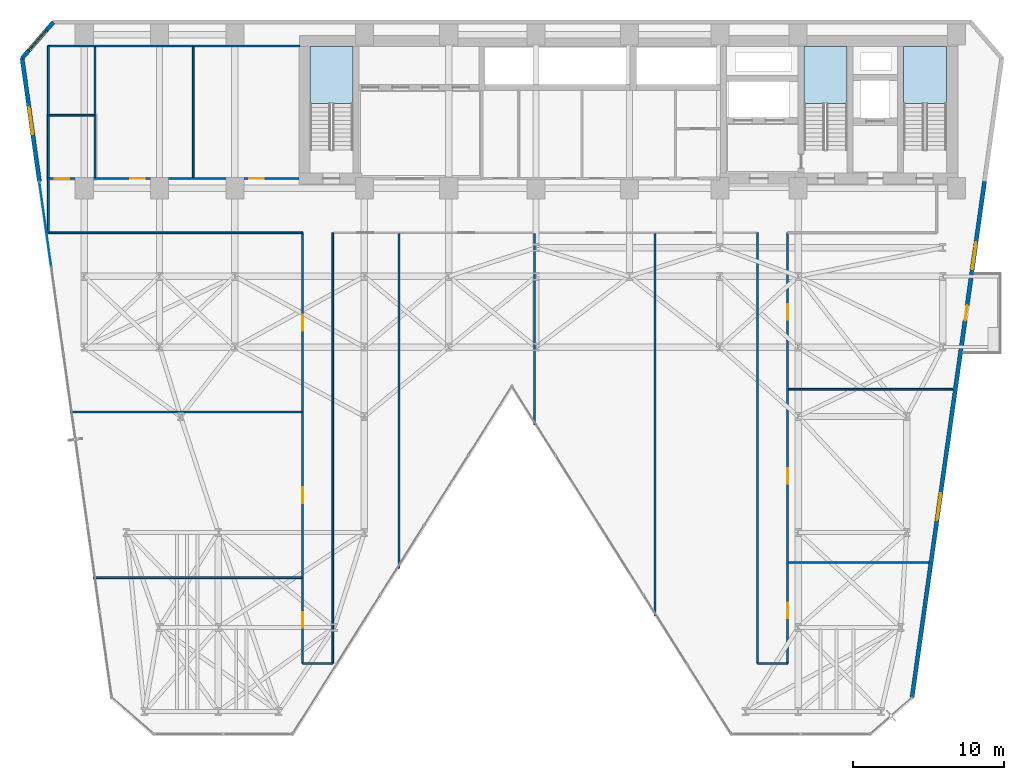
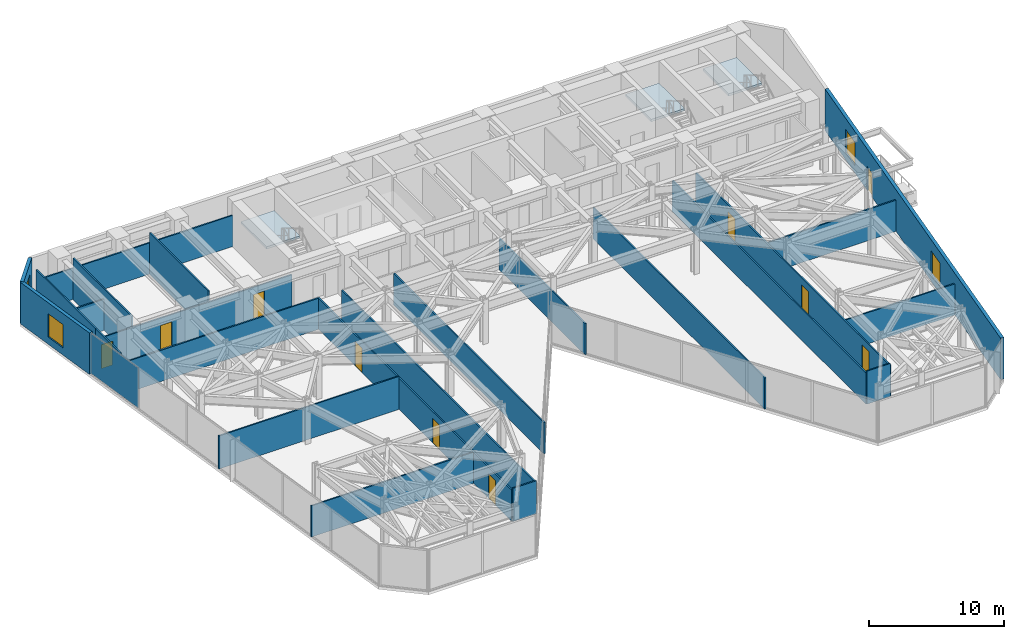
# One storey, part 19 of 25: 24 walls, 10 doors, 4 windows, 3 slabs, 1 plate, 14 openings, 4 elements without a shape of their own.
"""IFC4 building model written with IfcOpenShell, lengths in metres."""

from ifc_helpers import new_model, si_unit, direction, frame, frame_2d, origin, origin_2d, place, context, subcontext, project, spatial, polyline, rectangle, outline, extrude, material, layer, layer_set, type_object, element, fill, aggregate, save


model = new_model("IFC4")

# Units and contexts
model_context = context("Model", 3, precision=1e-05, world=origin(), true_north=direction((0.0, 1.0)))
body_context = subcontext(model_context, "Body", "Model", "MODEL_VIEW")
ifc_project = project(units=[si_unit("LENGTHUNIT", "METRE"), si_unit("AREAUNIT", "SQUARE_METRE"), si_unit("VOLUMEUNIT", "CUBIC_METRE"), si_unit("PLANEANGLEUNIT", "RADIAN"), si_unit("MASSUNIT", "GRAM", prefix="KILO")], contexts=[model_context])

# Site, building, storey
site_placement = place(None, origin())
site = spatial("IfcSite", under=ifc_project, at=site_placement, CompositionType="ELEMENT")
building_placement = place(site_placement, origin())
building = spatial("IfcBuilding", under=site, at=building_placement, Name="Kravanh Interchange Tower", CompositionType="ELEMENT")
storey_placement = place(building_placement, frame((0.0, 0.0, 49.5)))
storey = spatial("IfcBuildingStorey", under=building, at=storey_placement, Name="L11", CompositionType="ELEMENT", Elevation=49.5)

# Stair, slab
ifc_material_1 = material(Name="Concrete C50/60", Category="concrete")
stair_type = type_object("IfcStairType", Name="Core Fire Exit Dogleg Stair Concrete C50/60", PredefinedType="HALF_TURN_STAIR", material=ifc_material_1)
stair_1_placement = place(storey_placement, origin())
stair_1 = element("IfcStair", 1, at=stair_1_placement, inside=storey, type_object=stair_type, Name="L11 Exit Stair ST1", PredefinedType="HALF_TURN_STAIR")
ifc_material_2 = material(Name="Concrete C50/60", Category="concrete")
ifc_layer_1 = layer(ifc_material_2, 0.199951171875)
ifc_layer_set_1 = layer_set([ifc_layer_1], Name="Concrete C50/60 Stair Half-Landing Slab 200mm")
slab_type = type_object("IfcSlabType", Name="Concrete C50/60 Stair Half-Landing Slab 200mm", PredefinedType="LANDING", material=ifc_layer_set_1)
slab_1_placement = place(storey_placement, frame((0.0, 0.0, 1.800048828125)))
slab_1 = element("IfcSlab", 2, at=slab_1_placement, type_object=slab_type, Name="ST1 landing 1", PredefinedType="LANDING", context=body_context, shape_type="SweptSolid", body=[
    extrude(outline(polyline([(65.85009765625, 42.97998046875), (65.85009765625, 46.75), (63.0, 46.75), (63.0, 42.97998046875), (65.85009765625, 42.97998046875)])), origin(), (0.0, 0.0, 1.0), 0.199951171875),
])
aggregate(stair_1, [slab_1])

stair_2_placement = place(storey_placement, origin())
stair_2 = element("IfcStair", 3, at=stair_2_placement, inside=storey, type_object=stair_type, Name="L11 Exit Stair ST2", PredefinedType="HALF_TURN_STAIR")
slab_2_placement = place(storey_placement, frame((0.0, 0.0, 1.800048828125)))
slab_2 = element("IfcSlab", 4, at=slab_2_placement, type_object=slab_type, Name="ST2 landing 1", PredefinedType="LANDING", context=body_context, shape_type="SweptSolid", body=[
    extrude(outline(polyline([(59.25, 42.97998046875), (59.25, 46.75), (56.39990234375, 46.75), (56.39990234375, 42.97998046875), (59.25, 42.97998046875)])), origin(), (0.0, 0.0, 1.0), 0.199951171875),
])
aggregate(stair_2, [slab_2])

stair_3_placement = place(storey_placement, origin())
stair_3 = element("IfcStair", 5, at=stair_3_placement, inside=storey, type_object=stair_type, Name="L11 Exit Stair ST3", PredefinedType="HALF_TURN_STAIR")
slab_3_placement = place(storey_placement, frame((0.0, 0.0, 1.800048828125)))
slab_3 = element("IfcSlab", 6, at=slab_3_placement, type_object=slab_type, Name="ST3 landing 1", PredefinedType="LANDING", context=body_context, shape_type="SweptSolid", body=[
    extrude(outline(polyline([(26.449951171875, 42.97998046875), (26.449951171875, 46.75), (23.60009765625, 46.75), (23.60009765625, 42.97998046875), (26.449951171875, 42.97998046875)])), origin(), (0.0, 0.0, 1.0), 0.199951171875),
])
aggregate(stair_3, [slab_3])

# Curtain wall, plate
ifc_material_3 = material(Name="Anodised Bronze Aluminium", Category="aluminium")
ifc_layer_2 = layer(ifc_material_3, 0.179931640625)
ifc_layer_set_2 = layer_set([ifc_layer_2], Name="Unitised Curtain Wall System CW-Z1 Lower Office")
curtain_wall_type = type_object("IfcCurtainWallType", Name="Unitised Curtain Wall System CW-Z1 Lower Office", PredefinedType="NOTDEFINED", material=ifc_layer_set_2)
curtain_wall_placement = place(storey_placement, origin())
curtain_wall = element("IfcCurtainWall", 7, at=curtain_wall_placement, inside=storey, type_object=curtain_wall_type, Name="L11 Unitised Curtain Wall CW-L11-01", PredefinedType="NOTDEFINED")
ifc_material_4 = material(Name="Low-E Laminated Architectural Glass", Category="glass")
ifc_layer_3 = layer(ifc_material_4, 0.028076171875)
ifc_layer_set_3 = layer_set([ifc_layer_3], Name="Solar-Control Double Glazing 28mm")
plate_type = type_object("IfcPlateType", Name="Solar-Control Double Glazing 28mm", PredefinedType="CURTAIN_PANEL", material=ifc_layer_set_3)
plate_placement = place(storey_placement, frame((6.028564453125, 34.927490234375, 0.06005859375), z_axis=(0.0, 0.0, 1.0), x_axis=(-0.139176538065, 0.990267585682, 0.0)))
plate = element("IfcPlate", 8, at=plate_placement, type_object=plate_type, Name="CW-Z1 panel 6.1", PredefinedType="CURTAIN_PANEL", context=body_context, shape_type="SweptSolid", body=[
    extrude(rectangle(XDim=5.66162109375, YDim=0.028076171875, at=origin_2d()), origin(), (0.0, 0.0, 1.0), 3.6201171875),
])
aggregate(curtain_wall, [plate])

# Wall, openings, doors
ifc_material_5 = material(Name="Double Acoustic Gypsum Board and Mineral Wool")
ifc_layer_4 = layer(ifc_material_5, 0.1201171875)
ifc_layer_set_4 = layer_set([ifc_layer_4], Name="Acoustic Office Drywall Partition 120mm")
wall_type_1 = type_object("IfcWallType", Name="Acoustic Office Drywall Partition 120mm", PredefinedType="PARTITIONING", material=ifc_layer_set_4)
wall_1_placement = place(storey_placement, frame((6.219970703125, 38.0, 0.0), z_axis=(0.0, 0.0, 1.0), x_axis=(1.0, 0.0, 0.0)))
wall_1 = element("IfcWall", 9, at=wall_1_placement, inside=storey, type_object=wall_type_1, Name="L11 Restroom Corridor Wall 9", PredefinedType="PARTITIONING", context=body_context, shape_type="SweptSolid", body=[
    extrude(rectangle(XDim=16.630126953125, YDim=0.1201171875, at=frame_2d((8.31494140625, 0.0))), origin(), (0.0, 0.0, 1.0), 2.81298828125),
])
opening_1_placement = place(wall_1_placement, frame((0.424072265625, 0.0, 0.0)))
opening_1 = element("IfcOpeningElement", 10, at=opening_1_placement, cuts=wall_1, Name="Opening D-95", PredefinedType="OPENING", context=body_context, shape_type="SweptSolid", body=[
    extrude(rectangle(XDim=0.949951171875, YDim=2.14990234375, at=frame_2d((0.47509765625, 1.074951171875))), frame((0.0, 0.070068359375, 0.0), z_axis=(0.0, -1.0, 0.0), x_axis=(1.0, 0.0, 0.0)), (0.0, 0.0, 1.0), 0.14013671875),
])
opening_2_placement = place(wall_1_placement, frame((5.444091796875, 0.0, 0.0)))
opening_2 = element("IfcOpeningElement", 11, at=opening_2_placement, cuts=wall_1, Name="Opening D-95", PredefinedType="OPENING", context=body_context, shape_type="SweptSolid", body=[
    extrude(rectangle(XDim=0.949951171875, YDim=2.14990234375, at=frame_2d((0.47509765625, 1.074951171875))), frame((0.0, 0.070068359375, 0.0), z_axis=(0.0, -1.0, 0.0), x_axis=(1.0, 0.0, 0.0)), (0.0, 0.0, 1.0), 0.14013671875),
])
opening_3_placement = place(wall_1_placement, frame((13.343994140625, 0.0, 0.0)))
opening_3 = element("IfcOpeningElement", 12, at=opening_3_placement, cuts=wall_1, Name="Opening D-95", PredefinedType="OPENING", context=body_context, shape_type="SweptSolid", body=[
    extrude(rectangle(XDim=0.949951171875, YDim=2.14990234375, at=frame_2d((0.47509765625, 1.074951171875))), frame((0.0, 0.070068359375, 0.0), z_axis=(0.0, -1.0, 0.0), x_axis=(1.0, 0.0, 0.0)), (0.0, 0.0, 1.0), 0.14013671875),
])
ifc_material_6 = material(Name="Laminate Solid-Core Timber", Category="wood")
door_type_1 = type_object("IfcDoorType", Name="Accessible Restroom Door 950x2150", OperationType="NOTDEFINED", PredefinedType="DOOR", material=ifc_material_6)
door_1_placement = place(opening_1_placement, origin())
door_1 = element("IfcDoor", 13, at=door_1_placement, inside=storey, type_object=door_type_1, Name="L11 Accessible WC Door", OperationType="SINGLE_SWING_LEFT", OverallHeight=2.14990234375, OverallWidth=0.949951171875, PredefinedType="DOOR", context=body_context, shape_type="SweptSolid", body=[
    extrude(rectangle(XDim=0.949951171875, YDim=2.14990234375, at=frame_2d((0.47509765625, 1.074951171875))), frame((0.0, 0.02490234375, 0.0), z_axis=(0.0, -1.0, 0.0), x_axis=(1.0, 0.0, 0.0)), (0.0, 0.0, 1.0), 0.050048828125),
])
fill(opening_1, door_1)
door_2_placement = place(opening_2_placement, origin())
door_2 = element("IfcDoor", 14, at=door_2_placement, inside=storey, type_object=door_type_1, Name="L11 Female WC Door", OperationType="SINGLE_SWING_RIGHT", OverallHeight=2.14990234375, OverallWidth=0.949951171875, PredefinedType="DOOR", context=body_context, shape_type="SweptSolid", body=[
    extrude(rectangle(XDim=0.949951171875, YDim=2.14990234375, at=frame_2d((0.47509765625, 1.074951171875))), frame((0.0, 0.02490234375, 0.0), z_axis=(0.0, -1.0, 0.0), x_axis=(1.0, 0.0, 0.0)), (0.0, 0.0, 1.0), 0.050048828125),
])
fill(opening_2, door_2)
door_3_placement = place(opening_3_placement, origin())
door_3 = element("IfcDoor", 15, at=door_3_placement, inside=storey, type_object=door_type_1, Name="L11 Male WC Door", OperationType="SINGLE_SWING_LEFT", OverallHeight=2.14990234375, OverallWidth=0.949951171875, PredefinedType="DOOR", context=body_context, shape_type="SweptSolid", body=[
    extrude(rectangle(XDim=0.949951171875, YDim=2.14990234375, at=frame_2d((0.47509765625, 1.074951171875))), frame((0.0, 0.02490234375, 0.0), z_axis=(0.0, -1.0, 0.0), x_axis=(1.0, 0.0, 0.0)), (0.0, 0.0, 1.0), 0.050048828125),
])
fill(opening_3, door_3)

# Walls
wall_2_placement = place(storey_placement, frame((6.219970703125, 38.0, 0.0), z_axis=(0.0, 0.0, 1.0), x_axis=(0.0, 1.0, 0.0)))
element("IfcWall", 16, at=wall_2_placement, inside=storey, type_object=wall_type_1, Name="L11 Restroom West Enclosure 10", PredefinedType="PARTITIONING", context=body_context, shape_type="SweptSolid", body=[
    extrude(rectangle(XDim=8.800048828125, YDim=0.1201171875, at=frame_2d((4.39990234375, 0.0))), origin(), (0.0, 0.0, 1.0), 3.739990234375),
])
wall_3_placement = place(storey_placement, frame((6.219970703125, 46.800048828125, 0.0), z_axis=(0.0, 0.0, 1.0), x_axis=(1.0, 0.0, 0.0)))
element("IfcWall", 17, at=wall_3_placement, inside=storey, type_object=wall_type_1, Name="L11 Restroom North Enclosure 11", PredefinedType="PARTITIONING", context=body_context, shape_type="SweptSolid", body=[
    extrude(rectangle(XDim=16.679931640625, YDim=0.1201171875, at=frame_2d((8.33984375, 0.0))), origin(), (0.0, 0.0, 1.0), 2.81298828125),
])
for number, where, z_axis, x_axis, name in (
    (18, (9.320068359375, 38.068115234375, 0.0), (0.0, 0.0, 1.0), (0.0, 1.0, 0.0), "L11 Interior Partition 12"),
    (19, (15.840087890625, 38.068115234375, 0.0), (0.0, 0.0, 1.0), (0.0, 1.0, 0.0), "L11 Interior Partition 13"),
):
    element("IfcWall", number, at=place(storey_placement, frame(where, z_axis=z_axis, x_axis=x_axis)), inside=storey, type_object=wall_type_1, Name=name, PredefinedType="PARTITIONING", context=body_context, shape_type="SweptSolid", body=[
        extrude(rectangle(XDim=8.663818359375, YDim=0.1201171875, at=frame_2d((4.33203125, 0.0))), origin(), (0.0, 0.0, 1.0), 3.739990234375),
    ])
wall_4_placement = place(storey_placement, frame((6.2880859375, 42.199951171875, 0.0), z_axis=(0.0, 0.0, 1.0), x_axis=(1.0, 0.0, 0.0)))
element("IfcWall", 20, at=wall_4_placement, inside=storey, type_object=wall_type_1, Name="L11 Interior Partition 14", PredefinedType="PARTITIONING", context=body_context, shape_type="SweptSolid", body=[
    extrude(rectangle(XDim=2.9638671875, YDim=0.1201171875, at=frame_2d((1.48193359375, 0.0))), origin(), (0.0, 0.0, 1.0), 2.81298828125),
])
wall_5_placement = place(storey_placement, frame((6.219970703125, 34.39990234375, 0.0), z_axis=(0.0, 0.0, 1.0), x_axis=(1.0, 0.0, 0.0)))
element("IfcWall", 21, at=wall_5_placement, inside=storey, type_object=wall_type_1, Name="L11 Interior Partition 15", PredefinedType="PARTITIONING", context=body_context, shape_type="SweptSolid", body=[
    extrude(rectangle(XDim=16.880126953125, YDim=0.1201171875, at=frame_2d((8.43994140625, 0.0))), origin(), (0.0, 0.0, 1.0), 2.81298828125),
])
wall_6_placement = place(storey_placement, frame((6.219970703125, 34.39990234375, 0.0), z_axis=(0.0, 0.0, 1.0), x_axis=(0.0, 1.0, 0.0)))
element("IfcWall", 22, at=wall_6_placement, inside=storey, type_object=wall_type_1, Name="L11 Interior Partition 18", PredefinedType="PARTITIONING", context=body_context, shape_type="SweptSolid", body=[
    extrude(rectangle(XDim=3.650146484375, YDim=0.1201171875, at=frame_2d((1.8251953125, 0.0))), origin(), (0.0, 0.0, 1.0), 3.739990234375),
])

# Wall, openings, doors
wall_7_placement = place(storey_placement, frame((23.10009765625, 5.800048828125, 0.0), z_axis=(0.0, 0.0, 1.0), x_axis=(0.0, 1.0, 0.0)))
wall_7 = element("IfcWall", 23, at=wall_7_placement, inside=storey, type_object=wall_type_1, Name="L11 Interior Partition 20", PredefinedType="PARTITIONING", context=body_context, shape_type="SweptSolid", body=[
    extrude(rectangle(XDim=28.599853515625, YDim=0.1201171875, at=frame_2d((14.2998046875, 0.0))), origin(), (0.0, 0.0, 1.0), 2.81298828125),
])
opening_4_placement = place(wall_7_placement, frame((2.365478515625, 0.0, 0.0)))
opening_4 = element("IfcOpeningElement", 24, at=opening_4_placement, cuts=wall_7, Name="Opening D-105", PredefinedType="OPENING", context=body_context, shape_type="SweptSolid", body=[
    extrude(rectangle(XDim=1.050048828125, YDim=2.199951171875, at=frame_2d((0.52490234375, 1.10009765625))), frame((0.0, 0.070068359375, 0.0), z_axis=(0.0, -1.0, 0.0), x_axis=(1.0, 0.0, 0.0)), (0.0, 0.0, 1.0), 0.14013671875),
])
opening_5_placement = place(wall_7_placement, frame((10.634765625, 0.0, 0.0)))
opening_5 = element("IfcOpeningElement", 25, at=opening_5_placement, cuts=wall_7, Name="Opening D-105", PredefinedType="OPENING", context=body_context, shape_type="SweptSolid", body=[
    extrude(rectangle(XDim=1.050048828125, YDim=2.199951171875, at=frame_2d((0.52490234375, 1.10009765625))), frame((0.0, 0.070068359375, 0.0), z_axis=(0.0, -1.0, 0.0), x_axis=(1.0, 0.0, 0.0)), (0.0, 0.0, 1.0), 0.14013671875),
])
opening_6_placement = place(wall_7_placement, frame((22.10009765625, 0.0, 0.0)))
opening_6 = element("IfcOpeningElement", 26, at=opening_6_placement, cuts=wall_7, Name="Opening D-105", PredefinedType="OPENING", context=body_context, shape_type="SweptSolid", body=[
    extrude(rectangle(XDim=1.050048828125, YDim=2.199951171875, at=frame_2d((0.52490234375, 1.10009765625))), frame((0.0, 0.070068359375, 0.0), z_axis=(0.0, -1.0, 0.0), x_axis=(1.0, 0.0, 0.0)), (0.0, 0.0, 1.0), 0.14013671875),
])
ifc_material_7 = material(Name="Acoustic Glazed Oak and Aluminium", Category="aluminium")
door_type_2 = type_object("IfcDoorType", Name="Office Workplace Door 1050x2200", OperationType="NOTDEFINED", PredefinedType="DOOR", material=ifc_material_7)
door_4_placement = place(opening_4_placement, origin())
door_4 = element("IfcDoor", 27, at=door_4_placement, inside=storey, type_object=door_type_2, Name="L11 SW Salon Lounge Door", OperationType="SINGLE_SWING_RIGHT", OverallHeight=2.199951171875, OverallWidth=1.050048828125, PredefinedType="DOOR", context=body_context, shape_type="SweptSolid", body=[
    extrude(rectangle(XDim=1.050048828125, YDim=2.199951171875, at=frame_2d((0.52490234375, 1.10009765625))), frame((0.0, 0.02490234375, 0.0), z_axis=(0.0, -1.0, 0.0), x_axis=(1.0, 0.0, 0.0)), (0.0, 0.0, 1.0), 0.050048828125),
])
fill(opening_4, door_4)
door_5_placement = place(opening_5_placement, origin())
door_5 = element("IfcDoor", 28, at=door_5_placement, inside=storey, type_object=door_type_2, Name="L11 West Balcony Office Door", OperationType="SINGLE_SWING_LEFT", OverallHeight=2.199951171875, OverallWidth=1.050048828125, PredefinedType="DOOR", context=body_context, shape_type="SweptSolid", body=[
    extrude(rectangle(XDim=1.050048828125, YDim=2.199951171875, at=frame_2d((0.52490234375, 1.10009765625))), frame((0.0, 0.02490234375, 0.0), z_axis=(0.0, -1.0, 0.0), x_axis=(1.0, 0.0, 0.0)), (0.0, 0.0, 1.0), 0.050048828125),
])
fill(opening_5, door_5)
door_6_placement = place(opening_6_placement, origin())
door_6 = element("IfcDoor", 29, at=door_6_placement, inside=storey, type_object=door_type_2, Name="L11 NW Quiet Study Door", OperationType="SINGLE_SWING_RIGHT", OverallHeight=2.199951171875, OverallWidth=1.050048828125, PredefinedType="DOOR", context=body_context, shape_type="SweptSolid", body=[
    extrude(rectangle(XDim=1.050048828125, YDim=2.199951171875, at=frame_2d((0.52490234375, 1.10009765625))), frame((0.0, 0.02490234375, 0.0), z_axis=(0.0, -1.0, 0.0), x_axis=(1.0, 0.0, 0.0)), (0.0, 0.0, 1.0), 0.050048828125),
])
fill(opening_6, door_6)

# Walls
wall_8_placement = place(storey_placement, frame((25.10009765625, 5.800048828125, 0.0), z_axis=(0.0, 0.0, 1.0), x_axis=(0.0, 1.0, 0.0)))
element("IfcWall", 30, at=wall_8_placement, inside=storey, type_object=wall_type_1, Name="L11 Interior Partition 21", PredefinedType="PARTITIONING", context=body_context, shape_type="SweptSolid", body=[
    extrude(rectangle(XDim=28.599853515625, YDim=0.1201171875, at=frame_2d((14.2998046875, 0.0))), origin(), (0.0, 0.0, 1.0), 2.81298828125),
])
wall_9_placement = place(storey_placement, frame((23.10009765625, 5.800048828125, 0.0), z_axis=(0.0, 0.0, 1.0), x_axis=(1.0, 0.0, 0.0)))
element("IfcWall", 31, at=wall_9_placement, inside=storey, type_object=wall_type_1, Name="L11 Interior Partition 22", PredefinedType="PARTITIONING", context=body_context, shape_type="SweptSolid", body=[
    extrude(rectangle(XDim=2.0, YDim=0.1201171875, at=frame_2d((1.0, 0.0))), origin(), (0.0, 0.0, 1.0), 2.97802734375),
])
wall_10_placement = place(storey_placement, frame((53.300048828125, 5.800048828125, 0.0), z_axis=(0.0, 0.0, 1.0), x_axis=(0.0, 1.0, 0.0)))
element("IfcWall", 32, at=wall_10_placement, inside=storey, type_object=wall_type_1, Name="L11 Interior Partition 23", PredefinedType="PARTITIONING", context=body_context, shape_type="SweptSolid", body=[
    extrude(rectangle(XDim=28.599853515625, YDim=0.1201171875, at=frame_2d((14.2998046875, 0.0))), origin(), (0.0, 0.0, 1.0), 2.81298828125),
])

# Wall, openings, doors
wall_11_placement = place(storey_placement, frame((55.300048828125, 5.800048828125, 0.0), z_axis=(0.0, 0.0, 1.0), x_axis=(0.0, 1.0, 0.0)))
wall_11 = element("IfcWall", 33, at=wall_11_placement, inside=storey, type_object=wall_type_1, Name="L11 Interior Partition 24", PredefinedType="PARTITIONING", context=body_context, shape_type="SweptSolid", body=[
    extrude(rectangle(XDim=28.599853515625, YDim=0.1201171875, at=frame_2d((14.2998046875, 0.0))), origin(), (0.0, 0.0, 1.0), 2.81298828125),
])
opening_7_placement = place(wall_11_placement, frame((2.9853515625, 0.0, 0.0)))
opening_7 = element("IfcOpeningElement", 34, at=opening_7_placement, cuts=wall_11, Name="Opening D-105", PredefinedType="OPENING", context=body_context, shape_type="SweptSolid", body=[
    extrude(rectangle(XDim=1.050048828125, YDim=2.199951171875, at=frame_2d((0.52490234375, 1.10009765625))), frame((0.0, 0.070068359375, 0.0), z_axis=(0.0, -1.0, 0.0), x_axis=(1.0, 0.0, 0.0)), (0.0, 0.0, 1.0), 0.14013671875),
])
opening_8_placement = place(wall_11_placement, frame((11.925048828125, 0.0, 0.0)))
opening_8 = element("IfcOpeningElement", 35, at=opening_8_placement, cuts=wall_11, Name="Opening D-105", PredefinedType="OPENING", context=body_context, shape_type="SweptSolid", body=[
    extrude(rectangle(XDim=1.050048828125, YDim=2.199951171875, at=frame_2d((0.52490234375, 1.10009765625))), frame((0.0, 0.070068359375, 0.0), z_axis=(0.0, -1.0, 0.0), x_axis=(1.0, 0.0, 0.0)), (0.0, 0.0, 1.0), 0.14013671875),
])
opening_9_placement = place(wall_11_placement, frame((22.809814453125, 0.0, 0.0)))
opening_9 = element("IfcOpeningElement", 36, at=opening_9_placement, cuts=wall_11, Name="Opening D-105", PredefinedType="OPENING", context=body_context, shape_type="SweptSolid", body=[
    extrude(rectangle(XDim=1.050048828125, YDim=2.199951171875, at=frame_2d((0.52490234375, 1.10009765625))), frame((0.0, 0.070068359375, 0.0), z_axis=(0.0, -1.0, 0.0), x_axis=(1.0, 0.0, 0.0)), (0.0, 0.0, 1.0), 0.14013671875),
])
door_7_placement = place(opening_7_placement, origin())
door_7 = element("IfcDoor", 37, at=door_7_placement, inside=storey, type_object=door_type_2, Name="L11 SE Panorama Lounge Door", OperationType="SINGLE_SWING_LEFT", OverallHeight=2.199951171875, OverallWidth=1.050048828125, PredefinedType="DOOR", context=body_context, shape_type="SweptSolid", body=[
    extrude(rectangle(XDim=1.050048828125, YDim=2.199951171875, at=frame_2d((0.52490234375, 1.10009765625))), frame((0.0, 0.02490234375, 0.0), z_axis=(0.0, -1.0, 0.0), x_axis=(1.0, 0.0, 0.0)), (0.0, 0.0, 1.0), 0.050048828125),
])
fill(opening_7, door_7)
door_8_placement = place(opening_8_placement, origin())
door_8 = element("IfcDoor", 38, at=door_8_placement, inside=storey, type_object=door_type_2, Name="L11 East Balcony Lounge Door", OperationType="SINGLE_SWING_RIGHT", OverallHeight=2.199951171875, OverallWidth=1.050048828125, PredefinedType="DOOR", context=body_context, shape_type="SweptSolid", body=[
    extrude(rectangle(XDim=1.050048828125, YDim=2.199951171875, at=frame_2d((0.52490234375, 1.10009765625))), frame((0.0, 0.02490234375, 0.0), z_axis=(0.0, -1.0, 0.0), x_axis=(1.0, 0.0, 0.0)), (0.0, 0.0, 1.0), 0.050048828125),
])
fill(opening_8, door_8)
door_9_placement = place(opening_9_placement, origin())
door_9 = element("IfcDoor", 39, at=door_9_placement, inside=storey, type_object=door_type_2, Name="L11 NE Reading Study Door", OperationType="SINGLE_SWING_LEFT", OverallHeight=2.199951171875, OverallWidth=1.050048828125, PredefinedType="DOOR", context=body_context, shape_type="SweptSolid", body=[
    extrude(rectangle(XDim=1.050048828125, YDim=2.199951171875, at=frame_2d((0.52490234375, 1.10009765625))), frame((0.0, 0.02490234375, 0.0), z_axis=(0.0, -1.0, 0.0), x_axis=(1.0, 0.0, 0.0)), (0.0, 0.0, 1.0), 0.050048828125),
])
fill(opening_9, door_9)

# Walls
wall_12_placement = place(storey_placement, frame((53.300048828125, 5.800048828125, 0.0), z_axis=(0.0, 0.0, 1.0), x_axis=(1.0, 0.0, 0.0)))
element("IfcWall", 40, at=wall_12_placement, inside=storey, type_object=wall_type_1, Name="L11 Interior Partition 25", PredefinedType="PARTITIONING", context=body_context, shape_type="SweptSolid", body=[
    extrude(rectangle(XDim=2.0, YDim=0.1201171875, at=frame_2d((1.0, 0.0))), origin(), (0.0, 0.0, 1.0), 2.97802734375),
])
wall_13_placement = place(storey_placement, frame((9.215087890625, 11.5, 0.0), z_axis=(0.0, 0.0, 1.0), x_axis=(1.0, 0.0, 0.0)))
element("IfcWall", 41, at=wall_13_placement, inside=storey, type_object=wall_type_1, Name="L11 Interior Partition 26", PredefinedType="PARTITIONING", context=body_context, shape_type="SweptSolid", body=[
    extrude(rectangle(XDim=13.81689453125, YDim=0.1201171875, at=frame_2d((6.908447265625, 0.0))), origin(), (0.0, 0.0, 1.0), 2.81298828125),
])
wall_14_placement = place(storey_placement, frame((7.669189453125, 22.5, 0.0), z_axis=(0.0, 0.0, 1.0), x_axis=(1.0, 0.0, 0.0)))
element("IfcWall", 42, at=wall_14_placement, inside=storey, type_object=wall_type_1, Name="L11 Interior Partition 27", PredefinedType="PARTITIONING", context=body_context, shape_type="SweptSolid", body=[
    extrude(rectangle(XDim=15.36279296875, YDim=0.1201171875, at=frame_2d((7.681396484375, 0.0))), origin(), (0.0, 0.0, 1.0), 2.97802734375),
])
wall_15_placement = place(storey_placement, frame((55.367919921875, 12.5, 0.0), z_axis=(0.0, 0.0, 1.0), x_axis=(1.0, 0.0, 0.0)))
element("IfcWall", 43, at=wall_15_placement, inside=storey, type_object=wall_type_1, Name="L11 Interior Partition 28", PredefinedType="PARTITIONING", context=body_context, shape_type="SweptSolid", body=[
    extrude(rectangle(XDim=9.28466796875, YDim=0.1201171875, at=frame_2d((4.642333984375, 0.0))), origin(), (0.0, 0.0, 1.0), 2.81298828125),
])
wall_16_placement = place(storey_placement, frame((55.367919921875, 24.0, 0.0), z_axis=(0.0, 0.0, 1.0), x_axis=(1.0, 0.0, 0.0)))
element("IfcWall", 44, at=wall_16_placement, inside=storey, type_object=wall_type_1, Name="L11 Interior Partition 29", PredefinedType="PARTITIONING", context=body_context, shape_type="SweptSolid", body=[
    extrude(rectangle(XDim=10.901123046875, YDim=0.1201171875, at=frame_2d((5.45068359375, 0.0))), origin(), (0.0, 0.0, 1.0), 2.81298828125),
])
wall_17_placement = place(storey_placement, frame((29.5, 12.131591796875, 0.0), z_axis=(0.0, 0.0, 1.0), x_axis=(0.0, 1.0, 0.0)))
element("IfcWall", 45, at=wall_17_placement, inside=storey, type_object=wall_type_1, Name="L11 Interior Partition 30", PredefinedType="PARTITIONING", context=body_context, shape_type="SweptSolid", body=[
    extrude(rectangle(XDim=22.200439453125, YDim=0.1201171875, at=frame_2d((11.10009765625, 0.0))), origin(), (0.0, 0.0, 1.0), 2.81298828125),
])
wall_18_placement = place(storey_placement, frame((38.5, 21.648681640625, 0.0), z_axis=(0.0, 0.0, 1.0), x_axis=(0.0, 1.0, 0.0)))
element("IfcWall", 46, at=wall_18_placement, inside=storey, type_object=wall_type_1, Name="L11 Interior Partition 31", PredefinedType="PARTITIONING", context=body_context, shape_type="SweptSolid", body=[
    extrude(rectangle(XDim=12.683349609375, YDim=0.1201171875, at=frame_2d((6.341796875, 0.0))), origin(), (0.0, 0.0, 1.0), 2.81298828125),
])
wall_19_placement = place(storey_placement, frame((46.5, 8.959228515625, 0.0), z_axis=(0.0, 0.0, 1.0), x_axis=(0.0, 1.0, 0.0)))
element("IfcWall", 47, at=wall_19_placement, inside=storey, type_object=wall_type_1, Name="L11 Interior Partition 32", PredefinedType="PARTITIONING", context=body_context, shape_type="SweptSolid", body=[
    extrude(rectangle(XDim=25.372802734375, YDim=0.1201171875, at=frame_2d((12.6865234375, 0.0))), origin(), (0.0, 0.0, 1.0), 2.81298828125),
])

# Wall, opening, window
ifc_material_8 = material(Name="Insulated Precast Concrete C40/50 with Bronze Cladding", Category="concrete")
ifc_layer_5 = layer(ifc_material_8, 0.280029296875)
ifc_layer_set_5 = layer_set([ifc_layer_5], Name="Exterior Insulated Concrete C40/50 Bronze Spandrel Wall 280mm")
wall_type_2 = type_object("IfcWallType", Name="Exterior Insulated Concrete C40/50 Bronze Spandrel Wall 280mm", PredefinedType="STANDARD", material=ifc_layer_set_5)
wall_20_placement = place(storey_placement, frame((5.625, 37.800048828125, 0.0), z_axis=(0.0, 0.0, 1.0), x_axis=(-0.139180172484, 0.990267074878, 0.0)))
wall_20 = element("IfcWall", 48, at=wall_20_placement, inside=storey, type_object=wall_type_2, Name="L11 Exterior Wall 1", PredefinedType="STANDARD", context=body_context, shape_type="SweptSolid", body=[
    extrude(rectangle(XDim=8.267333984375, YDim=0.280029296875, at=frame_2d((4.1337890625, 0.0))), origin(), (0.0, 0.0, 1.0), 3.739990234375),
])
opening_10_placement = place(wall_20_placement, frame((3.1728515625, 0.0, 0.64990234375)))
opening_10 = element("IfcOpeningElement", 49, at=opening_10_placement, cuts=wall_20, Name="Opening WN-180X210", PredefinedType="OPENING", context=body_context, shape_type="SweptSolid", body=[
    extrude(rectangle(XDim=1.800048828125, YDim=2.10009765625, at=frame_2d((0.89990234375, 1.050048828125))), frame((0.0, 0.14990234375, 0.0), z_axis=(0.0, -1.0, 0.0), x_axis=(1.0, 0.0, 0.0)), (0.0, 0.0, 1.0), 0.300048828125),
])
ifc_material_9 = material(Name="Thermally Broken Bronze Aluminium and Low-E Glass", Category="aluminium")
window_type = type_object("IfcWindowType", Name="Tower Pier Window 1800x2100", PartitioningType="SINGLE_PANEL", PredefinedType="WINDOW", material=ifc_material_9)
window_1_placement = place(opening_10_placement, origin())
window_1 = element("IfcWindow", 50, at=window_1_placement, inside=storey, type_object=window_type, Name="L11 Corner Window 1", OverallHeight=2.10009765625, OverallWidth=1.800048828125, PartitioningType="SINGLE_PANEL", PredefinedType="WINDOW", context=body_context, shape_type="SweptSolid", body=[
    extrude(rectangle(XDim=1.800048828125, YDim=2.10009765625, at=frame_2d((0.89990234375, 1.050048828125))), frame((0.0, 0.030029296875, 0.0), z_axis=(0.0, -1.0, 0.0), x_axis=(1.0, 0.0, 0.0)), (0.0, 0.0, 1.0), 0.06005859375),
])
fill(opening_10, window_1)

wall_21_placement = place(storey_placement, frame((4.474365234375, 45.98681640625, 0.0), z_axis=(0.0, 0.0, 1.0), x_axis=(0.656070053895, 0.754699996278, 0.0)))
wall_21 = element("IfcWall", 51, at=wall_21_placement, inside=storey, type_object=wall_type_2, Name="L11 Exterior Wall 2", PredefinedType="STANDARD", context=body_context, shape_type="SweptSolid", body=[
    extrude(rectangle(XDim=3.1708984375, YDim=0.280029296875, at=frame_2d((1.58544921875, 0.0))), origin(), (0.0, 0.0, 1.0), 3.739990234375),
])
opening_11_placement = place(wall_21_placement, frame((0.66650390625, 0.0, 0.64990234375)))
opening_11 = element("IfcOpeningElement", 52, at=opening_11_placement, cuts=wall_21, Name="Opening WN-180X210", PredefinedType="OPENING", context=body_context, shape_type="SweptSolid", body=[
    extrude(rectangle(XDim=1.800048828125, YDim=2.10009765625, at=frame_2d((0.89990234375, 1.050048828125))), frame((0.0, 0.14990234375, 0.0), z_axis=(0.0, -1.0, 0.0), x_axis=(1.0, 0.0, 0.0)), (0.0, 0.0, 1.0), 0.300048828125),
])
window_2_placement = place(opening_11_placement, origin())
window_2 = element("IfcWindow", 53, at=window_2_placement, inside=storey, type_object=window_type, Name="L11 Corner Window 2", OverallHeight=2.10009765625, OverallWidth=1.800048828125, PartitioningType="SINGLE_PANEL", PredefinedType="WINDOW", context=body_context, shape_type="SweptSolid", body=[
    extrude(rectangle(XDim=1.800048828125, YDim=2.10009765625, at=frame_2d((0.89990234375, 1.050048828125))), frame((0.0, 0.030029296875, 0.0), z_axis=(0.0, -1.0, 0.0), x_axis=(1.0, 0.0, 0.0)), (0.0, 0.0, 1.0), 0.06005859375),
])
fill(opening_11, window_2)

# Wall, openings, door, windows
wall_22_placement = place(storey_placement, frame((68.375, 37.800048828125, 0.0), z_axis=(0.0, 0.0, 1.0), x_axis=(-0.139174610616, -0.990267856572, 0.0)))
wall_22 = element("IfcWall", 54, at=wall_22_placement, inside=storey, type_object=wall_type_2, Name="L11 Exterior Wall 6", PredefinedType="STANDARD", context=body_context, shape_type="SweptSolid", body=[
    extrude(rectangle(XDim=34.599853515625, YDim=0.280029296875, at=frame_2d((17.2998046875, 0.0))), origin(), (0.0, 0.0, 1.0), 3.739990234375),
])
opening_12_placement = place(wall_22_placement, frame((8.319091796875, 0.0, 0.0)))
opening_12 = element("IfcOpeningElement", 55, at=opening_12_placement, cuts=wall_22, Name="Opening ED-BAL100", PredefinedType="OPENING", context=body_context, shape_type="SweptSolid", body=[
    extrude(rectangle(XDim=1.0, YDim=2.14990234375, at=frame_2d((0.5, 1.074951171875))), frame((0.0, 0.14990234375, 0.0), z_axis=(0.0, -1.0, 0.0), x_axis=(1.0, 0.0, 0.0)), (0.0, 0.0, 1.0), 0.300048828125),
])
opening_13_placement = place(wall_22_placement, frame((4.09228515625, 0.0, 0.64990234375)))
opening_13 = element("IfcOpeningElement", 56, at=opening_13_placement, cuts=wall_22, Name="Opening WN-180X210", PredefinedType="OPENING", context=body_context, shape_type="SweptSolid", body=[
    extrude(rectangle(XDim=1.800048828125, YDim=2.10009765625, at=frame_2d((0.89990234375, 1.050048828125))), frame((0.0, 0.14990234375, 0.0), z_axis=(0.0, -1.0, 0.0), x_axis=(1.0, 0.0, 0.0)), (0.0, 0.0, 1.0), 0.300048828125),
])
opening_14_placement = place(wall_22_placement, frame((20.902587890625, 0.0, 0.64990234375)))
opening_14 = element("IfcOpeningElement", 57, at=opening_14_placement, cuts=wall_22, Name="Opening WN-180X210", PredefinedType="OPENING", context=body_context, shape_type="SweptSolid", body=[
    extrude(rectangle(XDim=1.800048828125, YDim=2.10009765625, at=frame_2d((0.89990234375, 1.050048828125))), frame((0.0, 0.14990234375, 0.0), z_axis=(0.0, -1.0, 0.0), x_axis=(1.0, 0.0, 0.0)), (0.0, 0.0, 1.0), 0.300048828125),
])
ifc_material_10 = material(Name="Thermally Broken Bronze Aluminium and Laminated Glass", Category="aluminium")
door_type_3 = type_object("IfcDoorType", Name="Balcony Glazed Door 1000x2150", OperationType="NOTDEFINED", PredefinedType="DOOR", material=ifc_material_10)
door_10_placement = place(opening_12_placement, origin())
door_10 = element("IfcDoor", 58, at=door_10_placement, inside=storey, type_object=door_type_3, Name="L11 E Tree Balcony Access Door", OperationType="SINGLE_SWING_LEFT", OverallHeight=2.14990234375, OverallWidth=1.0, PredefinedType="DOOR", context=body_context, shape_type="SweptSolid", body=[
    extrude(rectangle(XDim=1.0, YDim=2.14990234375, at=frame_2d((0.5, 1.074951171875))), frame((0.0, 0.02490234375, 0.0), z_axis=(0.0, -1.0, 0.0), x_axis=(1.0, 0.0, 0.0)), (0.0, 0.0, 1.0), 0.050048828125),
])
fill(opening_12, door_10)
window_3_placement = place(opening_13_placement, origin())
window_3 = element("IfcWindow", 59, at=window_3_placement, inside=storey, type_object=window_type, Name="L11 Facade Window 6A", OverallHeight=2.10009765625, OverallWidth=1.800048828125, PartitioningType="SINGLE_PANEL", PredefinedType="WINDOW", context=body_context, shape_type="SweptSolid", body=[
    extrude(rectangle(XDim=1.800048828125, YDim=2.10009765625, at=frame_2d((0.89990234375, 1.050048828125))), frame((0.0, 0.030029296875, 0.0), z_axis=(0.0, -1.0, 0.0), x_axis=(1.0, 0.0, 0.0)), (0.0, 0.0, 1.0), 0.06005859375),
])
fill(opening_13, window_3)
window_4_placement = place(opening_14_placement, origin())
window_4 = element("IfcWindow", 60, at=window_4_placement, inside=storey, type_object=window_type, Name="L11 Facade Window 6B", OverallHeight=2.10009765625, OverallWidth=1.800048828125, PartitioningType="SINGLE_PANEL", PredefinedType="WINDOW", context=body_context, shape_type="SweptSolid", body=[
    extrude(rectangle(XDim=1.800048828125, YDim=2.10009765625, at=frame_2d((0.89990234375, 1.050048828125))), frame((0.0, 0.030029296875, 0.0), z_axis=(0.0, -1.0, 0.0), x_axis=(1.0, 0.0, 0.0)), (0.0, 0.0, 1.0), 0.06005859375),
])
fill(opening_14, window_4)

save(model, "model.ifc")
